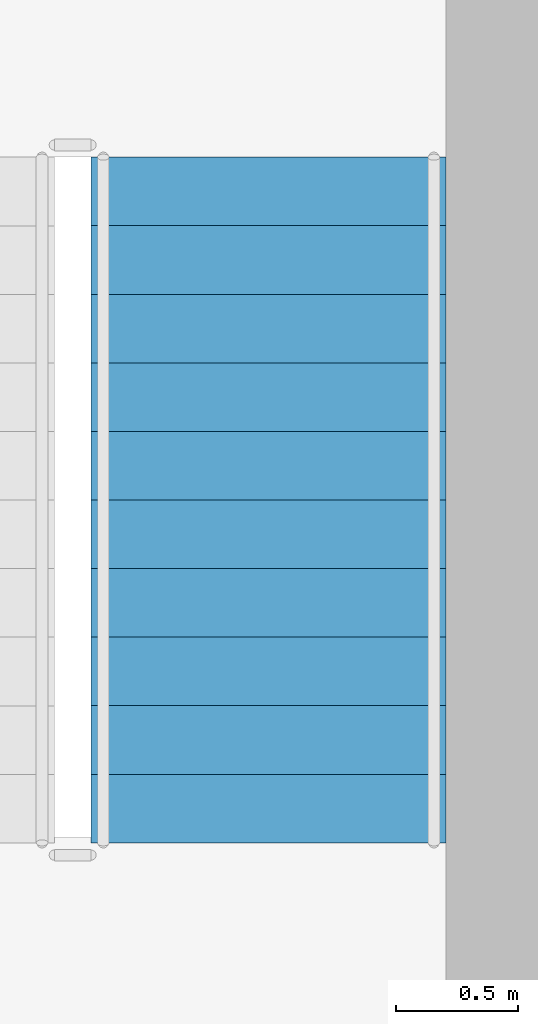
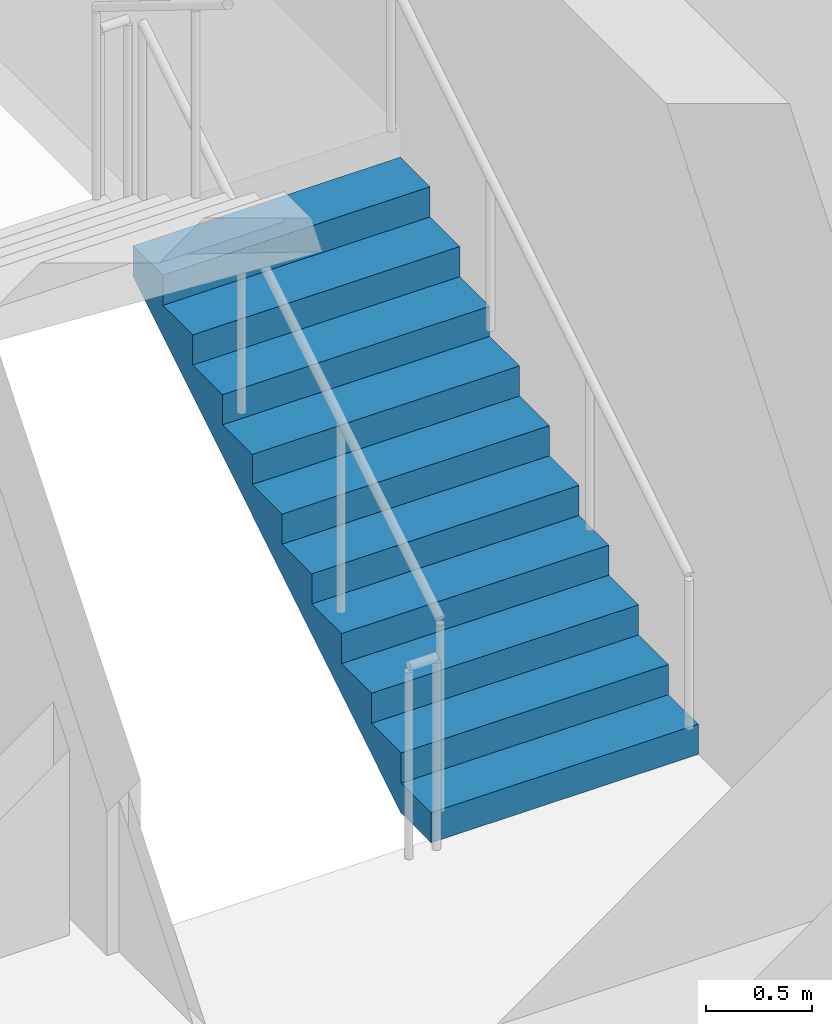
# One storey, part 36 of 40: 1 stair flight, 1 element without a shape of its own.
"""IFC4 building model written with IfcOpenShell, lengths in metres."""

from ifc_helpers import new_model, si_unit, direction, frame, origin, place, context, subcontext, project, spatial, polyline, outline, extrude, material, type_object, element, aggregate, save


model = new_model("IFC4")

# Units and contexts
model_context = context("Model", 3, precision=1e-05, world=origin(), true_north=direction((0.0, 1.0)))
body_context = subcontext(model_context, "Body", "Model", "MODEL_VIEW")
ifc_project = project(units=[si_unit("LENGTHUNIT", "METRE"), si_unit("AREAUNIT", "SQUARE_METRE"), si_unit("VOLUMEUNIT", "CUBIC_METRE"), si_unit("PLANEANGLEUNIT", "RADIAN"), si_unit("MASSUNIT", "GRAM", prefix="KILO")], contexts=[model_context])

# Site, building, storey
site_placement = place(None, origin())
site = spatial("IfcSite", under=ifc_project, at=site_placement, CompositionType="ELEMENT")
building_placement = place(site_placement, origin())
building = spatial("IfcBuilding", under=site, at=building_placement, Name="Saevonmaru Cultural Tower", CompositionType="ELEMENT")
storey_placement = place(building_placement, frame((0.0, 0.0, 129.60009765625)))
storey = spatial("IfcBuildingStorey", under=building, at=storey_placement, Name="L27", CompositionType="ELEMENT", Elevation=129.60009765625)

# Stair, stair flight
ifc_material_1 = material(Name="Concrete C40/50", Category="concrete")
stair_type = type_object("IfcStairType", Name="STR-DOGLEG-RC", PredefinedType="HALF_TURN_STAIR", material=ifc_material_1)
stair_placement = place(storey_placement, origin())
stair = element("IfcStair", 1, at=stair_placement, inside=storey, type_object=stair_type, Name="L27 Protected exit stair ST-2", PredefinedType="HALF_TURN_STAIR")
ifc_material_2 = material(Name="Precast concrete C40/50", Category="concrete")
stair_flight_type = type_object("IfcStairFlightType", Name="STF-PRECAST-180", PredefinedType="STRAIGHT", material=ifc_material_2)
stair_flight_placement = place(storey_placement, frame((45.074951171875, 44.85009765625, 0.0), z_axis=(0.0, 0.0, 1.0), x_axis=(0.0, 1.0, 0.0)))
stair_flight = element("IfcStairFlight", 2, at=stair_flight_placement, type_object=stair_flight_type, Name="ST-2-L27 flight 1", NumberOfRisers=11, NumberOfTreads=10, PredefinedType="STRAIGHT", RiserHeight=0.172727273, TreadLength=0.28, context=body_context, shape_type="SweptSolid", body=[
    extrude(outline(polyline([(0.0, 0.0), (0.0, 0.172607421875), (0.280029296875, 0.172607421875), (0.280029296875, 0.345458984375), (0.56005859375, 0.345458984375), (0.56005859375, 0.51806640625), (0.840087890625, 0.51806640625), (0.840087890625, 0.69091796875), (1.1201171875, 0.69091796875), (1.1201171875, 0.863525390625), (1.39990234375, 0.863525390625), (1.39990234375, 1.036376953125), (1.679931640625, 1.036376953125), (1.679931640625, 1.208984375), (1.9599609375, 1.208984375), (1.9599609375, 1.3818359375), (2.239990234375, 1.3818359375), (2.239990234375, 1.554443359375), (2.52001953125, 1.554443359375), (2.52001953125, 1.727294921875), (2.800048828125, 1.727294921875), (2.800048828125, 1.89990234375), (2.800048828125, 1.551025390625), (0.285400390625, 0.0), (0.0, 0.0)])), frame((0.0, 0.72509765625, 0.0), z_axis=(0.0, -1.0, 0.0), x_axis=(1.0, 0.0, 0.0)), (0.0, 0.0, 1.0), 1.449951171875),
])
aggregate(stair, [stair_flight])

save(model, "model.ifc")
